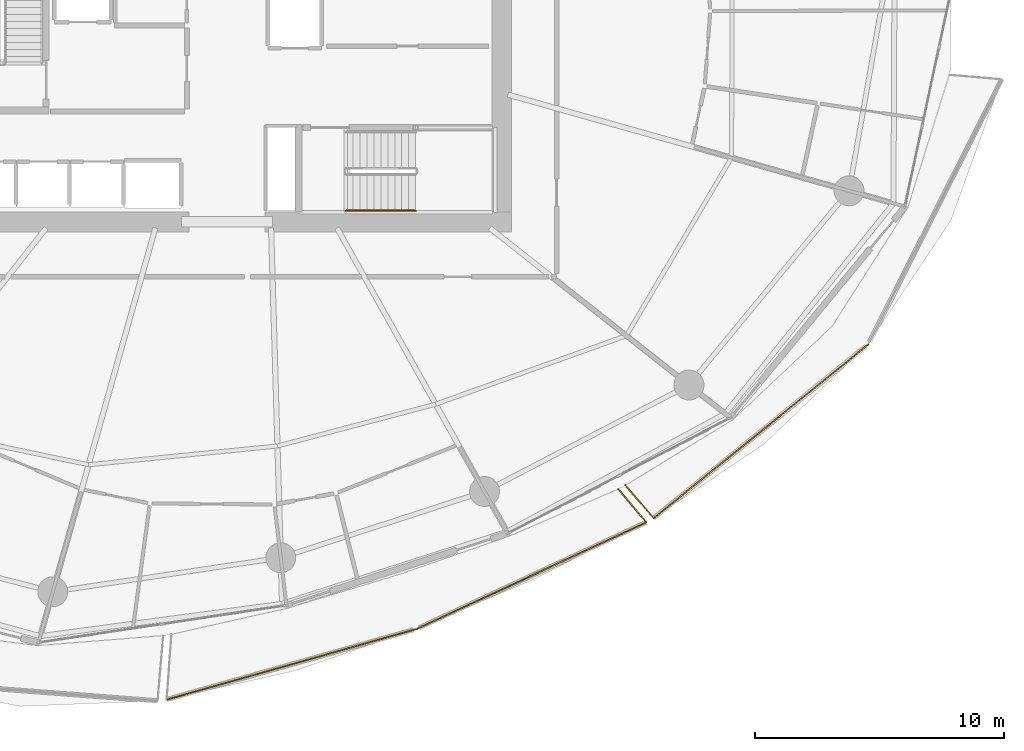
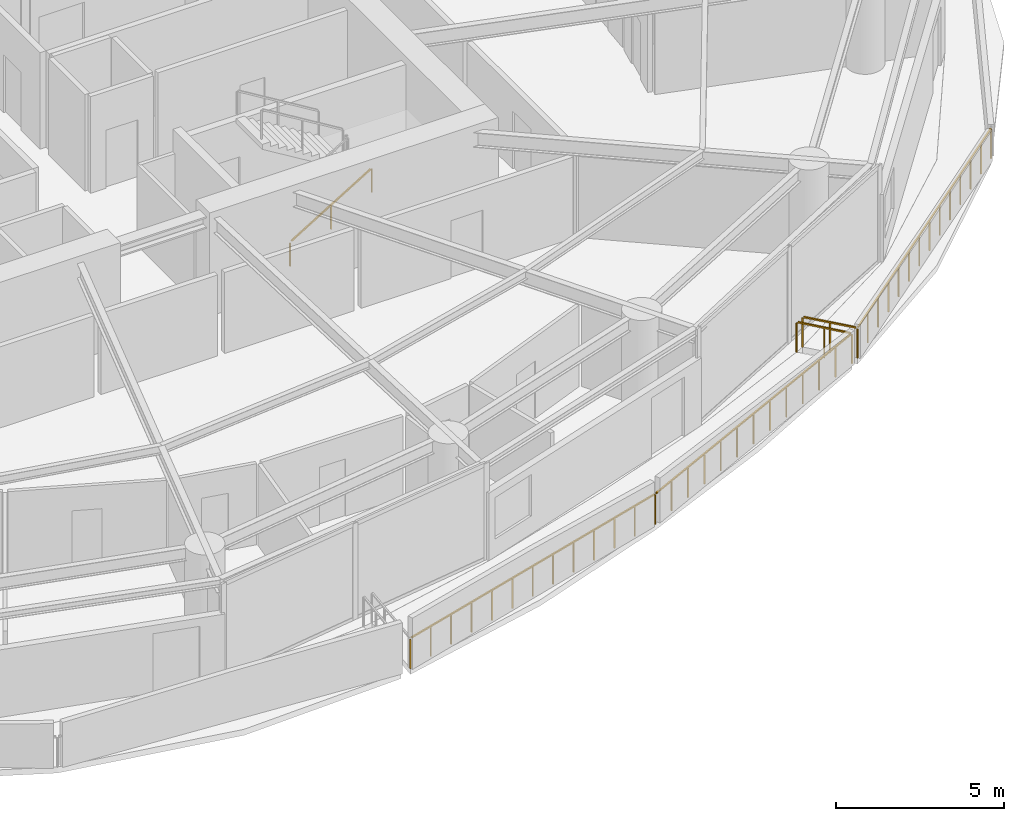
# One storey, part 19 of 23: 6 railings.
"""IFC4 building model written with IfcOpenShell, lengths in metres."""

from ifc_helpers import new_model, si_unit, direction, frame, origin, origin_2d, place, context, subcontext, project, spatial, rectangle, extrude, material, type_object, element, save


model = new_model("IFC4")

# Units and contexts
model_context = context("Model", 3, precision=1e-05, world=origin(), true_north=direction((0.0, 1.0)))
body_context = subcontext(model_context, "Body", "Model", "MODEL_VIEW")
ifc_project = project(units=[si_unit("LENGTHUNIT", "METRE"), si_unit("AREAUNIT", "SQUARE_METRE"), si_unit("VOLUMEUNIT", "CUBIC_METRE"), si_unit("PLANEANGLEUNIT", "RADIAN"), si_unit("MASSUNIT", "GRAM", prefix="KILO")], contexts=[model_context])

# Site, building, storey
site_placement = place(None, origin())
site = spatial("IfcSite", under=ifc_project, at=site_placement, CompositionType="ELEMENT")
building_placement = place(site_placement, origin())
building = spatial("IfcBuilding", under=site, at=building_placement, Name="Kazma Halo Residences", CompositionType="ELEMENT")
storey_placement = place(building_placement, frame((0.0, 0.0, 108.89990234375)))
storey = spatial("IfcBuildingStorey", under=building, at=storey_placement, Name="L27", CompositionType="ELEMENT", Elevation=108.89990234375)

# Railings
ifc_material_1 = material(Name="Aluminium AW-6063 T6 Brushed Cap Rail", Category="aluminium")
railing_type_1 = type_object("IfcRailingType", Name="RLG-BAL-CAP-1120", PredefinedType="BALUSTRADE", material=ifc_material_1)
railing_1_placement = place(storey_placement, frame((46.0, 14.43603515625, 0.0)))
element("IfcRailing", 1, at=railing_1_placement, inside=storey, type_object=railing_type_1, Name="L27 SSE wave balcony guard 2", PredefinedType="BALUSTRADE", context=body_context, shape_type="SweptSolid", body=[
    extrude(rectangle(XDim=0.050048828125, YDim=0.050048828125, at=origin_2d()), frame((0.041015625, 0.011474609375, 1.09521484375), z_axis=(0.962328182125, 0.271890547625, 0.0), x_axis=(-0.271890547625, 0.962328182125, 0.0)), (0.0, 0.0, 1.0), 10.3427734375),
    extrude(rectangle(XDim=0.0400390625, YDim=0.0400390625, at=origin_2d()), origin(), (0.0, 0.0, 1.0), 1.05810546875),
    extrude(rectangle(XDim=0.0400390625, YDim=0.0400390625, at=origin_2d()), frame((0.836181640625, 0.236328125, 0.0)), (0.0, 0.0, 1.0), 1.05810546875),
    extrude(rectangle(XDim=0.0400390625, YDim=0.0400390625, at=origin_2d()), frame((1.67236328125, 0.47265625, 0.0)), (0.0, 0.0, 1.0), 1.05810546875),
    extrude(rectangle(XDim=0.0400390625, YDim=0.0400390625, at=origin_2d()), frame((2.5087890625, 0.708740234375, 0.0)), (0.0, 0.0, 1.0), 1.05810546875),
    extrude(rectangle(XDim=0.0400390625, YDim=0.0400390625, at=origin_2d()), frame((3.344970703125, 0.945068359375, 0.0)), (0.0, 0.0, 1.0), 1.05810546875),
    extrude(rectangle(XDim=0.0400390625, YDim=0.0400390625, at=origin_2d()), frame((4.18115234375, 1.181396484375, 0.0)), (0.0, 0.0, 1.0), 1.05810546875),
    extrude(rectangle(XDim=0.0400390625, YDim=0.0400390625, at=origin_2d()), frame((5.017578125, 1.41748046875, 0.0)), (0.0, 0.0, 1.0), 1.05810546875),
    extrude(rectangle(XDim=0.0400390625, YDim=0.0400390625, at=origin_2d()), frame((5.853759765625, 1.65380859375, 0.0)), (0.0, 0.0, 1.0), 1.05810546875),
    extrude(rectangle(XDim=0.0400390625, YDim=0.0400390625, at=origin_2d()), frame((6.68994140625, 1.89013671875, 0.0)), (0.0, 0.0, 1.0), 1.05810546875),
    extrude(rectangle(XDim=0.0400390625, YDim=0.0400390625, at=origin_2d()), frame((7.526123046875, 2.12646484375, 0.0)), (0.0, 0.0, 1.0), 1.05810546875),
    extrude(rectangle(XDim=0.0400390625, YDim=0.0400390625, at=origin_2d()), frame((8.3623046875, 2.36279296875, 0.0)), (0.0, 0.0, 1.0), 1.05810546875),
    extrude(rectangle(XDim=0.0400390625, YDim=0.0400390625, at=origin_2d()), frame((9.19873046875, 2.598876953125, 0.0)), (0.0, 0.0, 1.0), 1.05810546875),
    extrude(rectangle(XDim=0.0400390625, YDim=0.0400390625, at=origin_2d()), frame((10.034912109375, 2.835205078125, 0.0)), (0.0, 0.0, 1.0), 1.05810546875),
])
railing_2_placement = place(storey_placement, frame((56.034912109375, 17.271240234375, 0.0)))
element("IfcRailing", 2, at=railing_2_placement, inside=storey, type_object=railing_type_1, Name="L27 SSE wave balcony guard 3", PredefinedType="BALUSTRADE", context=body_context, shape_type="SweptSolid", body=[
    extrude(rectangle(XDim=0.050048828125, YDim=0.050048828125, at=origin_2d()), frame((0.03857421875, 0.017822265625, 1.09521484375), z_axis=(0.907061401256, 0.420998354334, 0.0), x_axis=(-0.420998354334, 0.907061401256, 0.0)), (0.0, 0.0, 1.0), 10.076171875),
    extrude(rectangle(XDim=0.0400390625, YDim=0.0400390625, at=origin_2d()), origin(), (0.0, 0.0, 1.0), 1.05810546875),
    extrude(rectangle(XDim=0.0400390625, YDim=0.0400390625, at=origin_2d()), frame((0.76806640625, 0.3564453125, 0.0)), (0.0, 0.0, 1.0), 1.05810546875),
    extrude(rectangle(XDim=0.0400390625, YDim=0.0400390625, at=origin_2d()), frame((1.5361328125, 0.712890625, 0.0)), (0.0, 0.0, 1.0), 1.05810546875),
    extrude(rectangle(XDim=0.0400390625, YDim=0.0400390625, at=origin_2d()), frame((2.30419921875, 1.0693359375, 0.0)), (0.0, 0.0, 1.0), 1.05810546875),
    extrude(rectangle(XDim=0.0400390625, YDim=0.0400390625, at=origin_2d()), frame((3.072265625, 1.426025390625, 0.0)), (0.0, 0.0, 1.0), 1.05810546875),
    extrude(rectangle(XDim=0.0400390625, YDim=0.0400390625, at=origin_2d()), frame((3.84033203125, 1.782470703125, 0.0)), (0.0, 0.0, 1.0), 1.05810546875),
    extrude(rectangle(XDim=0.0400390625, YDim=0.0400390625, at=origin_2d()), frame((4.6083984375, 2.138916015625, 0.0)), (0.0, 0.0, 1.0), 1.05810546875),
    extrude(rectangle(XDim=0.0400390625, YDim=0.0400390625, at=origin_2d()), frame((5.37646484375, 2.495361328125, 0.0)), (0.0, 0.0, 1.0), 1.05810546875),
    extrude(rectangle(XDim=0.0400390625, YDim=0.0400390625, at=origin_2d()), frame((6.14453125, 2.851806640625, 0.0)), (0.0, 0.0, 1.0), 1.05810546875),
    extrude(rectangle(XDim=0.0400390625, YDim=0.0400390625, at=origin_2d()), frame((6.91259765625, 3.20849609375, 0.0)), (0.0, 0.0, 1.0), 1.05810546875),
    extrude(rectangle(XDim=0.0400390625, YDim=0.0400390625, at=origin_2d()), frame((7.6806640625, 3.56494140625, 0.0)), (0.0, 0.0, 1.0), 1.05810546875),
    extrude(rectangle(XDim=0.0400390625, YDim=0.0400390625, at=origin_2d()), frame((8.44873046875, 3.92138671875, 0.0)), (0.0, 0.0, 1.0), 1.05810546875),
    extrude(rectangle(XDim=0.0400390625, YDim=0.0400390625, at=origin_2d()), frame((9.216796875, 4.27783203125, 0.0)), (0.0, 0.0, 1.0), 1.05810546875),
])
railing_3_placement = place(storey_placement, frame((65.251708984375, 21.549072265625, 0.0)))
element("IfcRailing", 3, at=railing_3_placement, inside=storey, type_object=railing_type_1, Name="L27 SSE wave balcony guard 4", PredefinedType="BALUSTRADE", context=body_context, shape_type="SweptSolid", body=[
    extrude(rectangle(XDim=0.050048828125, YDim=0.050048828125, at=origin_2d()), frame((-0.02734375, 0.032470703125, 1.09521484375), z_axis=(-0.644730393158, 0.76441004712, 0.0), x_axis=(-0.76441004712, -0.644730393158, 0.0)), (0.0, 0.0, 1.0), 1.6591796875),
    extrude(rectangle(XDim=0.0400390625, YDim=0.0400390625, at=origin_2d()), origin(), (0.0, 0.0, 1.0), 1.05810546875),
    extrude(rectangle(XDim=0.0400390625, YDim=0.0400390625, at=origin_2d()), frame((-0.562255859375, 0.66650390625, 0.0)), (0.0, 0.0, 1.0), 1.05810546875),
    extrude(rectangle(XDim=0.0400390625, YDim=0.0400390625, at=origin_2d()), frame((-1.12451171875, 1.333251953125, 0.0)), (0.0, 0.0, 1.0), 1.05810546875),
])
railing_4_placement = place(storey_placement, frame((64.40576171875, 23.027099609375, 0.0)))
element("IfcRailing", 4, at=railing_4_placement, inside=storey, type_object=railing_type_1, Name="L27 SE wave balcony guard 1", PredefinedType="BALUSTRADE", context=body_context, shape_type="SweptSolid", body=[
    extrude(rectangle(XDim=0.050048828125, YDim=0.050048828125, at=origin_2d()), frame((0.02783203125, -0.0322265625, 1.09521484375), z_axis=(0.654191086692, -0.756329307969, 0.0), x_axis=(0.756329307969, 0.654191086692, 0.0)), (0.0, 0.0, 1.0), 1.650390625),
    extrude(rectangle(XDim=0.0400390625, YDim=0.0400390625, at=origin_2d()), origin(), (0.0, 0.0, 1.0), 1.05810546875),
    extrude(rectangle(XDim=0.0400390625, YDim=0.0400390625, at=origin_2d()), frame((0.567626953125, -0.65625, 0.0)), (0.0, 0.0, 1.0), 1.05810546875),
    extrude(rectangle(XDim=0.0400390625, YDim=0.0400390625, at=origin_2d()), frame((1.13525390625, -1.3125, 0.0)), (0.0, 0.0, 1.0), 1.05810546875),
])
railing_5_placement = place(storey_placement, frame((65.541015625, 21.714599609375, 0.0)))
element("IfcRailing", 5, at=railing_5_placement, inside=storey, type_object=railing_type_1, Name="L27 SE wave balcony guard 2", PredefinedType="BALUSTRADE", context=body_context, shape_type="SweptSolid", body=[
    extrude(rectangle(XDim=0.050048828125, YDim=0.050048828125, at=origin_2d()), frame((0.032958984375, 0.02685546875, 1.09521484375), z_axis=(0.777253602641, 0.629187442009, 0.0), x_axis=(-0.629187442009, 0.777253602641, 0.0)), (0.0, 0.0, 1.0), 10.983642578125),
    extrude(rectangle(XDim=0.0400390625, YDim=0.0400390625, at=origin_2d()), origin(), (0.0, 0.0, 1.0), 1.05810546875),
    extrude(rectangle(XDim=0.0400390625, YDim=0.0400390625, at=origin_2d()), frame((0.661865234375, 0.53564453125, 0.0)), (0.0, 0.0, 1.0), 1.05810546875),
    extrude(rectangle(XDim=0.0400390625, YDim=0.0400390625, at=origin_2d()), frame((1.323486328125, 1.071533203125, 0.0)), (0.0, 0.0, 1.0), 1.05810546875),
    extrude(rectangle(XDim=0.0400390625, YDim=0.0400390625, at=origin_2d()), frame((1.9853515625, 1.607177734375, 0.0)), (0.0, 0.0, 1.0), 1.05810546875),
    extrude(rectangle(XDim=0.0400390625, YDim=0.0400390625, at=origin_2d()), frame((2.647216796875, 2.142822265625, 0.0)), (0.0, 0.0, 1.0), 1.05810546875),
    extrude(rectangle(XDim=0.0400390625, YDim=0.0400390625, at=origin_2d()), frame((3.308837890625, 2.6787109375, 0.0)), (0.0, 0.0, 1.0), 1.05810546875),
    extrude(rectangle(XDim=0.0400390625, YDim=0.0400390625, at=origin_2d()), frame((3.970703125, 3.21435546875, 0.0)), (0.0, 0.0, 1.0), 1.05810546875),
    extrude(rectangle(XDim=0.0400390625, YDim=0.0400390625, at=origin_2d()), frame((4.632568359375, 3.75, 0.0)), (0.0, 0.0, 1.0), 1.05810546875),
    extrude(rectangle(XDim=0.0400390625, YDim=0.0400390625, at=origin_2d()), frame((5.29443359375, 4.28564453125, 0.0)), (0.0, 0.0, 1.0), 1.05810546875),
    extrude(rectangle(XDim=0.0400390625, YDim=0.0400390625, at=origin_2d()), frame((5.9560546875, 4.821533203125, 0.0)), (0.0, 0.0, 1.0), 1.05810546875),
    extrude(rectangle(XDim=0.0400390625, YDim=0.0400390625, at=origin_2d()), frame((6.617919921875, 5.357177734375, 0.0)), (0.0, 0.0, 1.0), 1.05810546875),
    extrude(rectangle(XDim=0.0400390625, YDim=0.0400390625, at=origin_2d()), frame((7.27978515625, 5.892822265625, 0.0)), (0.0, 0.0, 1.0), 1.05810546875),
    extrude(rectangle(XDim=0.0400390625, YDim=0.0400390625, at=origin_2d()), frame((7.94140625, 6.4287109375, 0.0)), (0.0, 0.0, 1.0), 1.05810546875),
    extrude(rectangle(XDim=0.0400390625, YDim=0.0400390625, at=origin_2d()), frame((8.603271484375, 6.96435546875, 0.0)), (0.0, 0.0, 1.0), 1.05810546875),
])
ifc_material_2 = material(Name="Brushed Stainless Steel", Category="steel")
railing_type_2 = type_object("IfcRailingType", Name="RLG-STAIR-HND-900", PredefinedType="HANDRAIL", material=ifc_material_2)
railing_6_placement = place(storey_placement, frame((53.199951171875, 34.050048828125, 0.170654296875)))
element("IfcRailing", 6, at=railing_6_placement, inside=storey, type_object=railing_type_2, Name="L27 ST-03 stair handrail 1", PredefinedType="HANDRAIL", context=body_context, shape_type="SweptSolid", body=[
    extrude(rectangle(XDim=0.050048828125, YDim=0.050048828125, at=origin_2d()), frame((0.036376953125, 0.0, 0.89697265625), z_axis=(0.854202870247, 0.0, 0.519939858505), x_axis=(0.0, 1.0, 0.0)), (0.0, 0.0, 1.0), 3.19287109375),
    extrude(rectangle(XDim=0.0400390625, YDim=0.0400390625, at=origin_2d()), origin(), (0.0, 0.0, 1.0), 0.837890625),
    extrude(rectangle(XDim=0.0400390625, YDim=0.0400390625, at=origin_2d()), frame((1.39990234375, 0.0, 0.85205078125)), (0.0, 0.0, 1.0), 0.837890625),
    extrude(rectangle(XDim=0.0400390625, YDim=0.0400390625, at=origin_2d()), frame((2.800048828125, 0.0, 1.704345703125)), (0.0, 0.0, 1.0), 0.837890625),
])

save(model, "model.ifc")
